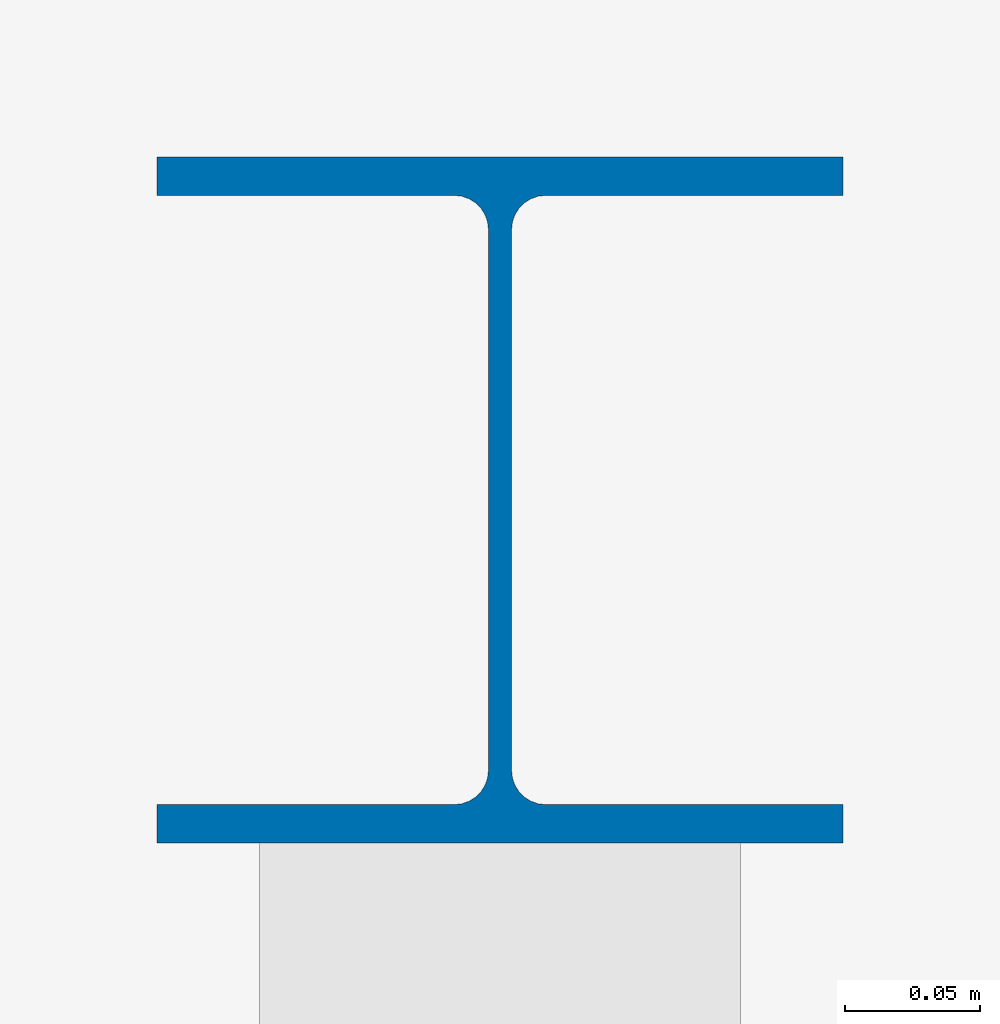
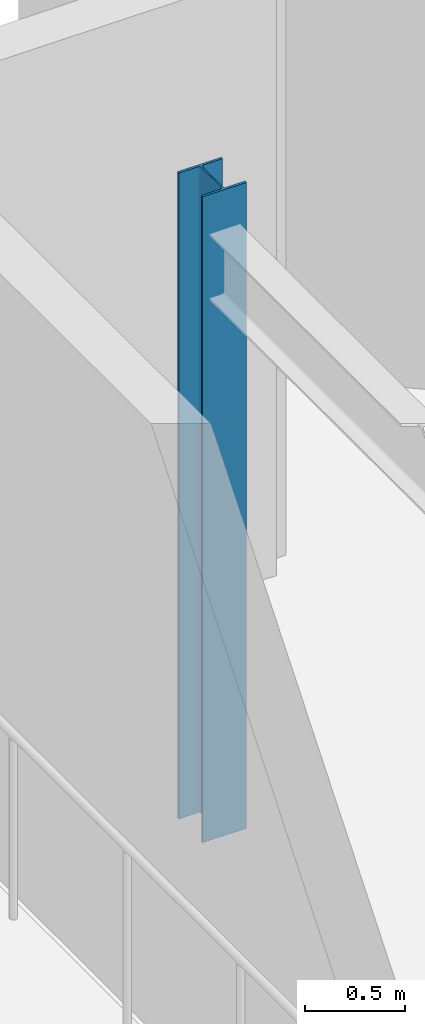
# One storey, part 4 of 16: 1 column.
"""IFC4 building model written with IfcOpenShell, lengths in metres."""

from ifc_helpers import new_model, si_unit, direction, frame, origin, origin_2d, place, context, subcontext, project, spatial, i_section, extrude, material, material_profile, profile_set, type_object, element, save


model = new_model("IFC4")

# Units and contexts
model_context = context("Model", 3, precision=1e-05, world=origin(), true_north=direction((0.0, 1.0)))
body_context = subcontext(model_context, "Body", "Model", "MODEL_VIEW")
ifc_project = project(units=[si_unit("LENGTHUNIT", "METRE"), si_unit("AREAUNIT", "SQUARE_METRE"), si_unit("VOLUMEUNIT", "CUBIC_METRE"), si_unit("PLANEANGLEUNIT", "RADIAN"), si_unit("MASSUNIT", "GRAM", prefix="KILO")], contexts=[model_context])

# Site, building, storey
site_placement = place(None, origin())
site = spatial("IfcSite", under=ifc_project, at=site_placement, CompositionType="ELEMENT")
building_placement = place(site_placement, origin())
building = spatial("IfcBuilding", under=site, at=building_placement, Name="Varnakote Quay Hospital", CompositionType="ELEMENT")
storey_placement = place(building_placement, frame((0.0, 0.0, 264.449951171875)))
storey = spatial("IfcBuildingStorey", under=building, at=storey_placement, Name="L65", CompositionType="ELEMENT", Elevation=264.449951171875)

# Column
ifc_material = material(Name="Structural steel AS/NZS 3679.1 Grade 350 L0 (fy 340 MPa)", Category="steel")
ifc_material_profile = material_profile(ifc_material, i_section(OverallWidth=0.25390625, OverallDepth=0.25390625, WebThickness=0.008544921875, FlangeThickness=0.01416015625, FilletRadius=0.0126953125, at=origin_2d()), Name="250UC72.9")
ifc_profile_set = profile_set([ifc_material_profile], Name="Structural steel AS/NZS 3679.1 Grade 350 L0 (fy 340 MPa)")
column_type = type_object("IfcColumnType", Name="COL-STL-250UC72-9", PredefinedType="COLUMN", material=ifc_profile_set)
column_placement = place(storey_placement, frame((1.199951171875, 37.199951171875, 0.0), z_axis=(0.0, 0.0, 1.0), x_axis=(1.0, 0.0, 0.0)))
element("IfcColumn", 1, at=column_placement, inside=storey, type_object=column_type, Name="L65 Structural Column C-1-37", PredefinedType="COLUMN", context=body_context, shape_type="SweptSolid", body=[
    extrude(i_section(OverallWidth=0.25390625, OverallDepth=0.25390625, WebThickness=0.008544921875, FlangeThickness=0.01416015625, FilletRadius=0.0126953125, at=origin_2d()), origin(), (0.0, 0.0, 1.0), 3.949951171875),
])

save(model, "model.ifc")
